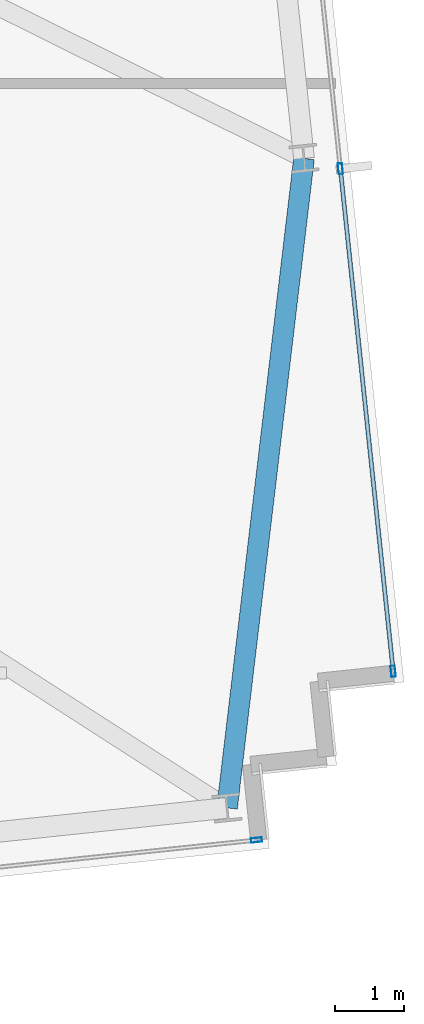
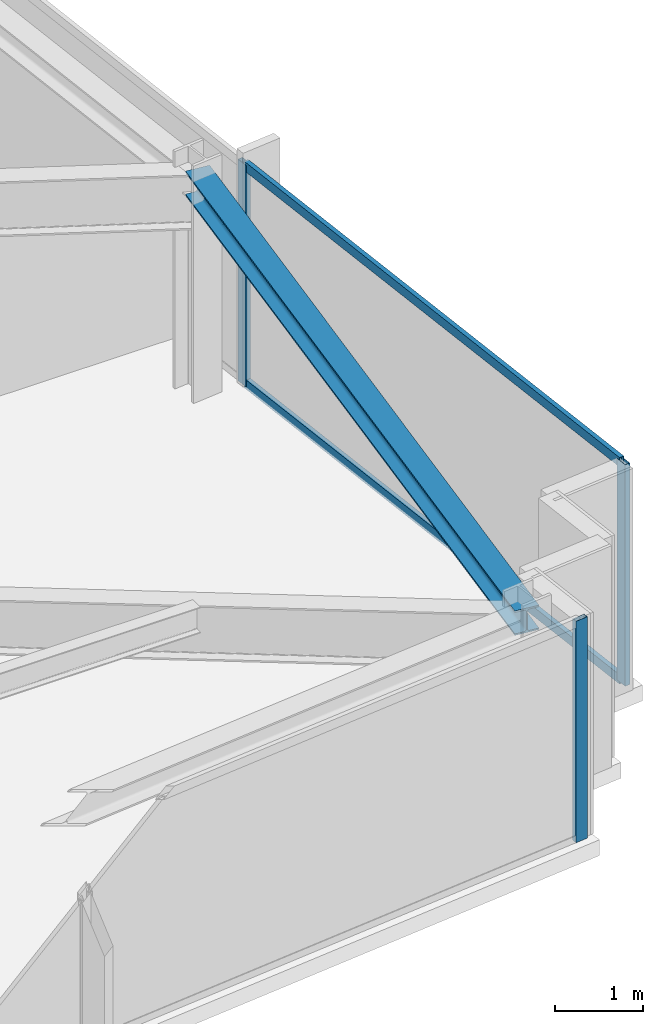
# One storey, part 17 of 32: 5 members, 1 beam, 2 elements without a shape of their own.
"""IFC4 building model written with IfcOpenShell, lengths in metres."""

from ifc_helpers import new_model, si_unit, direction, frame, origin, origin_2d, place, context, subcontext, project, spatial, hollow_rectangle, i_section, extrude, material, material_profile, profile_set, type_object, element, aggregate, save


model = new_model("IFC4")

# Units and contexts
model_context = context("Model", 3, precision=1e-05, world=origin(), true_north=direction((0.0, 1.0)))
body_context = subcontext(model_context, "Body", "Model", "MODEL_VIEW")
ifc_project = project(units=[si_unit("LENGTHUNIT", "METRE"), si_unit("AREAUNIT", "SQUARE_METRE"), si_unit("VOLUMEUNIT", "CUBIC_METRE"), si_unit("PLANEANGLEUNIT", "RADIAN"), si_unit("MASSUNIT", "GRAM", prefix="KILO")], contexts=[model_context])

# Site, building, storey
site_placement = place(None, origin())
site = spatial("IfcSite", under=ifc_project, at=site_placement, CompositionType="ELEMENT")
building_placement = place(site_placement, origin())
building = spatial("IfcBuilding", under=site, at=building_placement, Name="Yelkora Congress Tower", CompositionType="ELEMENT")
storey_placement = place(building_placement, frame((0.0, 0.0, 207.800048828125)))
storey = spatial("IfcBuildingStorey", under=building, at=storey_placement, Name="L57", CompositionType="ELEMENT", Elevation=207.800048828125)

# Beam
ifc_material_1 = material(Name="Steel S355J2", Category="steel")
ifc_material_profile_1 = material_profile(ifc_material_1, i_section(OverallWidth=0.300048828125, OverallDepth=0.340087890625, WebThickness=0.011962890625, FlangeThickness=0.021484375, FilletRadius=0.027099609375, at=origin_2d()), Name="HEB 340")
ifc_profile_set_1 = profile_set([ifc_material_profile_1], Name="Steel S355J2")
beam_type = type_object("IfcBeamType", Name="BM-SPAN-HEB340", PredefinedType="SPANDREL", material=ifc_profile_set_1)
beam_placement = place(storey_placement, frame((69.235107421875, 17.716796875, 2.909912109375), z_axis=(0.11765897357, 0.993054059928, 0.0), x_axis=(-0.993054059928, 0.11765897357, 0.0)))
element("IfcBeam", 1, at=beam_placement, inside=storey, type_object=beam_type, Name="L57 Perimeter Beam 9", PredefinedType="SPANDREL", context=body_context, shape_type="SweptSolid", body=[
    extrude(i_section(OverallWidth=0.300048828125, OverallDepth=0.340087890625, WebThickness=0.011962890625, FlangeThickness=0.021484375, FilletRadius=0.027099609375, at=origin_2d()), origin(), (0.0, 0.0, 1.0), 9.509765625),
])

# Curtain wall, members
ifc_material_2 = material(Name="Anodised aluminium and insulated glass", Category="aluminium")
curtain_wall_type = type_object("IfcCurtainWallType", Name="CW-SYS-B4", PredefinedType="NOTDEFINED", material=ifc_material_2)
curtain_wall_1_placement = place(storey_placement, origin())
curtain_wall_1 = element("IfcCurtainWall", 2, at=curtain_wall_1_placement, inside=storey, type_object=curtain_wall_type, Name="L57 Unitised Curtain Wall 15", PredefinedType="NOTDEFINED")
ifc_material_3 = material(Name="Anodised aluminium 6063-T6", Category="aluminium")
ifc_material_profile_2 = material_profile(ifc_material_3, hollow_rectangle(XDim=0.06494140625, YDim=0.159912109375, WallThickness=0.00390625, at=origin_2d()), Name="ALU 65x160x4")
ifc_profile_set_2 = profile_set([ifc_material_profile_2], Name="Anodised aluminium 6063-T6")
member_type_1 = type_object("IfcMemberType", Name="MEM-ML-B4", PredefinedType="MULLION", material=ifc_profile_set_2)
member_1_placement = place(storey_placement, frame((70.882568359375, 27.009765625, 0.0), z_axis=(0.0, 0.0, 1.0), x_axis=(0.994522182968, 0.104525726898, 0.0)))
member_1 = element("IfcMember", 3, at=member_1_placement, type_object=member_type_1, Name="CW-B4 mullion 4", PredefinedType="MULLION", context=body_context, shape_type="SweptSolid", body=[
    extrude(hollow_rectangle(XDim=0.06494140625, YDim=0.159912109375, WallThickness=0.00390625, at=origin_2d()), origin(), (0.0, 0.0, 1.0), 3.079833984375),
])
member_2_placement = place(storey_placement, frame((71.650634765625, 19.70263671875, 0.0), z_axis=(0.0, 0.0, 1.0), x_axis=(0.994522182968, 0.104525726898, 0.0)))
member_2 = element("IfcMember", 4, at=member_2_placement, type_object=member_type_1, Name="CW-B4 mullion 5", PredefinedType="MULLION", context=body_context, shape_type="SweptSolid", body=[
    extrude(hollow_rectangle(XDim=0.06494140625, YDim=0.159912109375, WallThickness=0.00390625, at=origin_2d()), origin(), (0.0, 0.0, 1.0), 3.079833984375),
])

# Curtain wall, member
curtain_wall_2_placement = place(storey_placement, origin())
curtain_wall_2 = element("IfcCurtainWall", 5, at=curtain_wall_2_placement, inside=storey, type_object=curtain_wall_type, Name="L57 Unitised Curtain Wall 20", PredefinedType="NOTDEFINED")
member_3_placement = place(storey_placement, frame((69.663818359375, 17.2490234375, 0.0), z_axis=(0.0, 0.0, 1.0), x_axis=(0.104526664994, -0.994522084373, 0.0)))
member_3 = element("IfcMember", 6, at=member_3_placement, type_object=member_type_1, Name="CW-B4 mullion 1", PredefinedType="MULLION", context=body_context, shape_type="SweptSolid", body=[
    extrude(hollow_rectangle(XDim=0.06494140625, YDim=0.159912109375, WallThickness=0.00390625, at=origin_2d()), origin(), (0.0, 0.0, 1.0), 3.079833984375),
])
aggregate(curtain_wall_2, [member_3])

# Member
ifc_material_profile_3 = material_profile(ifc_material_3, hollow_rectangle(XDim=0.06005859375, YDim=0.1298828125, WallThickness=0.00390625, at=origin_2d()), Name="ALU 60x130x4")
ifc_profile_set_3 = profile_set([ifc_material_profile_3], Name="Anodised aluminium 6063-T6")
member_type_2 = type_object("IfcMemberType", Name="MEM-TR-B4", PredefinedType="USERDEFINED", material=ifc_profile_set_3)
member_4_placement = place(storey_placement, frame((70.885986328125, 26.9775390625, 0.030029296875), z_axis=(0.104527725728, -0.994521972886, 0.0), x_axis=(0.994521972886, 0.104527725728, 0.0)))
member_4 = element("IfcMember", 7, at=member_4_placement, type_object=member_type_2, Name="CW-B4 transom 4.1", ObjectType="TRANSOM", PredefinedType="USERDEFINED", context=body_context, shape_type="SweptSolid", body=[
    extrude(hollow_rectangle(XDim=0.06005859375, YDim=0.1298828125, WallThickness=0.00390625, at=origin_2d()), origin(), (0.0, 0.0, 1.0), 7.282470703125),
])

member_5_placement = place(storey_placement, frame((70.885986328125, 26.9775390625, 3.050048828125), z_axis=(0.104527725728, -0.994521972886, 0.0), x_axis=(0.994521972886, 0.104527725728, 0.0)))
member_5 = element("IfcMember", 8, at=member_5_placement, type_object=member_type_2, Name="CW-B4 transom 4.2", ObjectType="TRANSOM", PredefinedType="USERDEFINED", context=body_context, shape_type="SweptSolid", body=[
    extrude(hollow_rectangle(XDim=0.06005859375, YDim=0.1298828125, WallThickness=0.00390625, at=origin_2d()), origin(), (0.0, 0.0, 1.0), 7.282470703125),
])

aggregate(curtain_wall_1, [member_1, member_2, member_4, member_5])

save(model, "model.ifc")
